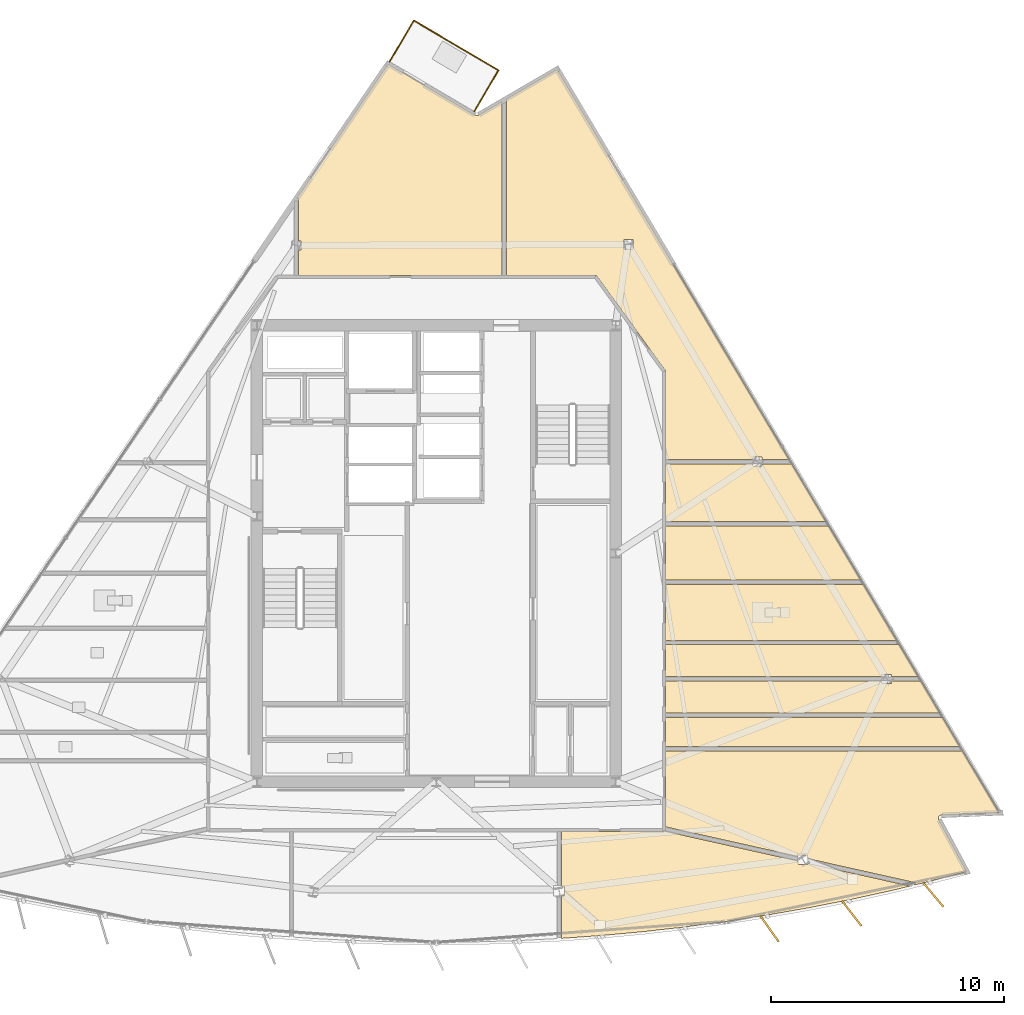
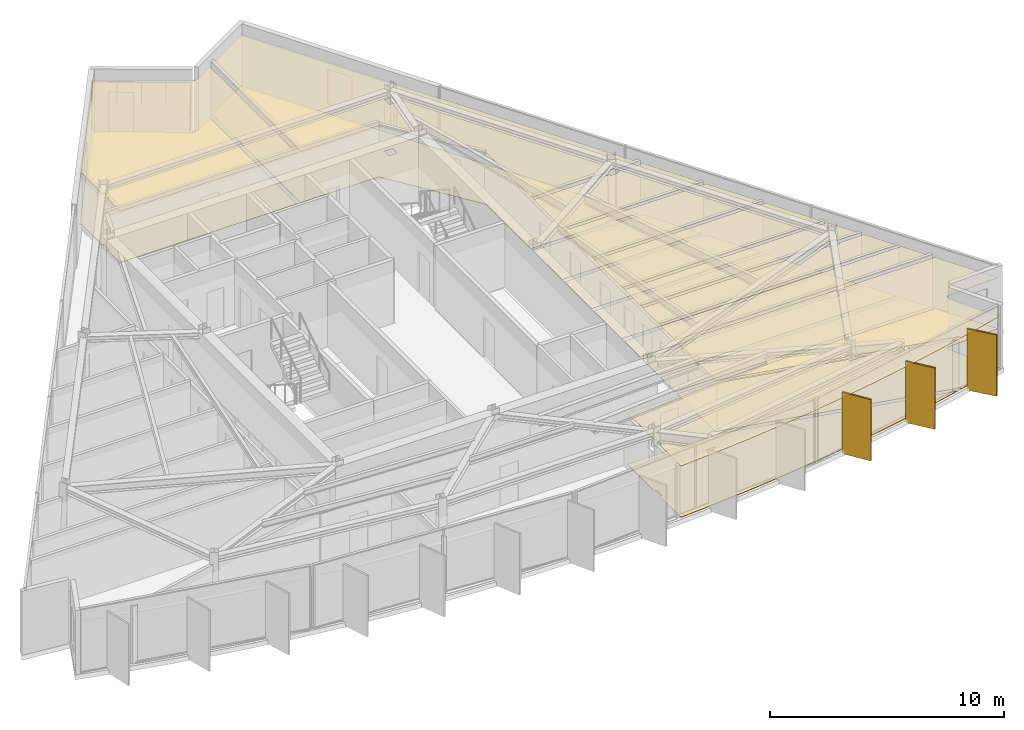
# One storey, part 12 of 13: 20 coverings, 3 railings, 3 shading devices.
"""IFC4 building model written with IfcOpenShell, lengths in metres."""

from ifc_helpers import new_model, si_unit, direction, frame, origin, origin_2d, place, context, subcontext, project, spatial, polyline, rectangle, circle, outline, extrude, material, layer, layer_set, type_object, element, save


model = new_model("IFC4")

# Units and contexts
model_context = context("Model", 3, precision=1e-05, world=origin(), true_north=direction((0.0, 1.0)))
body_context = subcontext(model_context, "Body", "Model", "MODEL_VIEW")
ifc_project = project(units=[si_unit("LENGTHUNIT", "METRE"), si_unit("AREAUNIT", "SQUARE_METRE"), si_unit("VOLUMEUNIT", "CUBIC_METRE"), si_unit("PLANEANGLEUNIT", "RADIAN"), si_unit("MASSUNIT", "GRAM", prefix="KILO")], contexts=[model_context])

# Site, building, storey
site_placement = place(None, origin())
site = spatial("IfcSite", under=ifc_project, at=site_placement, CompositionType="ELEMENT")
building_placement = place(site_placement, origin())
building = spatial("IfcBuilding", under=site, at=building_placement, Name="Savorim Split Tower", CompositionType="ELEMENT")
storey_placement = place(building_placement, frame((0.0, 0.0, 258.0)))
storey = spatial("IfcBuildingStorey", under=building, at=storey_placement, Name="L68", CompositionType="ELEMENT", Elevation=258.0)

# Coverings
ifc_material_1 = material(Name="Mineral Fibre Acoustic Ceiling")
ifc_layer_1 = layer(ifc_material_1, 0.02490234375)
ifc_layer_set_1 = layer_set([ifc_layer_1], Name="COV-CEIL-25")
covering_type_1 = type_object("IfcCoveringType", Name="COV-CEIL-25", PredefinedType="CEILING", material=ifc_layer_set_1)
covering_1_placement = place(storey_placement, frame((0.0, 0.0, 2.669921875)))
element("IfcCovering", 1, at=covering_1_placement, inside=storey, type_object=covering_type_1, Name="L68 Maker Workshop Acoustic Ceiling", PredefinedType="CEILING", context=body_context, shape_type="SweptSolid", body=[
    extrude(outline(polyline([(14.2060546875, -15.117919921875), (15.962646484375, -14.80908203125), (17.712890625, -14.464599609375), (19.45556640625, -14.084228515625), (20.33740234375, -13.872802734375), (15.939697265625, -12.889404296875), (15.939697265625, -12.94384765625), (15.545654296875, -12.94384765625), (15.545654296875, -12.80126953125), (9.81640625, -11.52001953125), (9.782958984375, -11.512451171875), (9.77783203125, -11.516357421875), (9.76611328125, -11.5234375), (9.753662109375, -11.529296875), (9.740478515625, -11.533935546875), (9.727294921875, -11.537353515625), (9.713623046875, -11.539306640625), (9.699951171875, -11.5400390625), (5.37109375, -11.5400390625), (5.37109375, -13.895751953125), (5.47314453125, -13.895751953125), (5.47314453125, -14.28759765625), (5.37109375, -14.28759765625), (5.37109375, -16.072509765625), (5.37109375, -16.1171875), (7.126953125, -15.991455078125), (8.90283203125, -15.827392578125), (10.67529296875, -15.626953125), (12.443359375, -15.390380859375), (14.2060546875, -15.117919921875)])), origin(), (0.0, 0.0, 1.0), 0.025146484375),
])
covering_2_placement = place(storey_placement, frame((0.0, 0.0, 2.669921875)))
element("IfcCovering", 2, at=covering_2_placement, inside=storey, type_object=covering_type_1, Name="L68 Co-Working Commons Acoustic Ceiling", PredefinedType="CEILING", context=body_context, shape_type="SweptSolid", body=[
    extrude(outline(polyline([(21.639404296875, -10.830810546875), (21.650634765625, -10.828857421875), (21.662109375, -10.82763671875), (24.16357421875, -10.72119140625), (22.584716796875, -8.06591796875), (9.840087890625, -8.06591796875), (9.840087890625, -11.33056640625), (15.545654296875, -12.6064453125), (15.545654296875, -12.552001953125), (15.939697265625, -12.552001953125), (15.939697265625, -12.694580078125), (20.457275390625, -13.704833984375), (20.5498046875, -13.7255859375), (20.527099609375, -13.8271484375), (21.18994140625, -13.668212890625), (22.769287109375, -13.25537109375), (21.5615234375, -11.00439453125), (21.556640625, -10.993896484375), (21.552734375, -10.983154296875), (21.5498046875, -10.971923828125), (21.548095703125, -10.96044921875), (21.54736328125, -10.948974609375), (21.547607421875, -10.9375), (21.54931640625, -10.926025390625), (21.552001953125, -10.914794921875), (21.5556640625, -10.90380859375), (21.560302734375, -10.893310546875), (21.56591796875, -10.88330078125), (21.57275390625, -10.873779296875), (21.580078125, -10.864990234375), (21.58837890625, -10.857177734375), (21.59765625, -10.849853515625), (21.607421875, -10.84375), (21.61767578125, -10.83837890625), (21.62841796875, -10.833984375), (21.639404296875, -10.830810546875)])), origin(), (0.0, 0.0, 1.0), 0.025146484375),
])
covering_3_placement = place(storey_placement, frame((0.0, 0.0, 2.669921875)))
element("IfcCovering", 3, at=covering_3_placement, inside=storey, type_object=covering_type_1, Name="L68 Co-Living Bedroom Acoustic Ceiling", PredefinedType="CEILING", context=body_context, shape_type="SweptSolid", body=[
    extrude(outline(polyline([(22.4716796875, -7.8759765625), (21.73876953125, -6.643310546875), (9.840087890625, -6.643310546875), (9.840087890625, -7.8759765625), (22.4716796875, -7.8759765625)])), origin(), (0.0, 0.0, 1.0), 0.025146484375),
])
covering_4_placement = place(storey_placement, frame((0.0, 0.0, 2.669921875)))
element("IfcCovering", 4, at=covering_4_placement, inside=storey, type_object=covering_type_1, Name="L68 Quiet Study Room Acoustic Ceiling", PredefinedType="CEILING", context=body_context, shape_type="SweptSolid", body=[
    extrude(outline(polyline([(19.1416015625, -5.17529296875), (19.1416015625, -5.074462890625), (9.840087890625, -5.074462890625), (9.840087890625, -6.453369140625), (21.625732421875, -6.453369140625), (20.7861328125, -5.041259765625), (20.7861328125, -5.074462890625), (19.535400390625, -5.074462890625), (19.535400390625, -5.17529296875), (19.1416015625, -5.17529296875)])), origin(), (0.0, 0.0, 1.0), 0.025146484375),
])
covering_5_placement = place(storey_placement, frame((0.0, 0.0, 2.669921875)))
element("IfcCovering", 5, at=covering_5_placement, inside=storey, type_object=covering_type_1, Name="L68 Quiet Study Room Acoustic Ceiling", PredefinedType="CEILING", context=body_context, shape_type="SweptSolid", body=[
    extrude(outline(polyline([(19.535400390625, -4.783447265625), (19.535400390625, -4.884521484375), (20.691162109375, -4.884521484375), (20.69287109375, -4.884521484375), (19.877685546875, -3.513427734375), (9.840087890625, -3.513427734375), (9.840087890625, -4.884521484375), (19.1416015625, -4.884521484375), (19.1416015625, -4.783447265625), (19.535400390625, -4.783447265625)])), origin(), (0.0, 0.0, 1.0), 0.025146484375),
])
covering_6_placement = place(storey_placement, frame((0.0, 0.0, 2.669921875)))
element("IfcCovering", 6, at=covering_6_placement, inside=storey, type_object=covering_type_1, Name="L68 Shared Bathroom Acoustic Ceiling", PredefinedType="CEILING", context=body_context, shape_type="SweptSolid", body=[
    extrude(outline(polyline([(19.7646484375, -3.323486328125), (18.337890625, -0.92431640625), (9.840087890625, -0.92431640625), (9.840087890625, -3.323486328125), (19.7646484375, -3.323486328125)])), origin(), (0.0, 0.0, 1.0), 0.025146484375),
])
covering_7_placement = place(storey_placement, frame((0.0, 0.0, 2.669921875)))
element("IfcCovering", 7, at=covering_7_placement, inside=storey, type_object=covering_type_1, Name="L68 Co-Living Bedroom Acoustic Ceiling", PredefinedType="CEILING", context=body_context, shape_type="SweptSolid", body=[
    extrude(outline(polyline([(18.22509765625, -0.734130859375), (16.841796875, 1.591796875), (9.840087890625, 1.591796875), (9.840087890625, -0.734130859375), (18.22509765625, -0.734130859375)])), origin(), (0.0, 0.0, 1.0), 0.025146484375),
])
covering_8_placement = place(storey_placement, frame((0.0, 0.0, 2.669921875)))
element("IfcCovering", 8, at=covering_8_placement, inside=storey, type_object=covering_type_1, Name="L68 Quiet Study Room Acoustic Ceiling", PredefinedType="CEILING", context=body_context, shape_type="SweptSolid", body=[
    extrude(outline(polyline([(13.594482421875, 4.1533203125), (13.594482421875, 4.25439453125), (9.840087890625, 4.25439453125), (9.840087890625, 1.781982421875), (16.72900390625, 1.781982421875), (15.239013671875, 4.287353515625), (15.239013671875, 4.25439453125), (13.98828125, 4.25439453125), (13.98828125, 4.1533203125), (13.594482421875, 4.1533203125)])), origin(), (0.0, 0.0, 1.0), 0.025146484375),
])
covering_9_placement = place(storey_placement, frame((0.0, 0.0, 2.669921875)))
element("IfcCovering", 9, at=covering_9_placement, inside=storey, type_object=covering_type_1, Name="L68 Maker Workshop Acoustic Ceiling", PredefinedType="CEILING", context=body_context, shape_type="SweptSolid", body=[
    extrude(outline(polyline([(15.14404296875, 4.4443359375), (15.145751953125, 4.4443359375), (5.188720703125, 21.189697265625), (3.015380859375, 19.92333984375), (3.015380859375, 12.340087890625), (6.800048828125, 12.340087890625), (6.813232421875, 12.33935546875), (6.826416015625, 12.33740234375), (6.839111328125, 12.33447265625), (6.8515625, 12.330078125), (6.863525390625, 12.32470703125), (6.875, 12.318115234375), (6.885986328125, 12.310546875), (6.89599609375, 12.302001953125), (6.905029296875, 12.29248046875), (6.913330078125, 12.2822265625), (9.813232421875, 8.2822265625), (9.8212890625, 8.27001953125), (9.827880859375, 8.2568359375), (9.833251953125, 8.2431640625), (9.8369140625, 8.22900390625), (9.839111328125, 8.214599609375), (9.840087890625, 8.199951171875), (9.840087890625, 4.4443359375), (13.594482421875, 4.4443359375), (13.594482421875, 4.54541015625), (13.98828125, 4.54541015625), (13.98828125, 4.4443359375), (15.14404296875, 4.4443359375)]), holes=[polyline([(8.44140625, 13.8740234375), (8.04736328125, 13.8740234375), (8.04736328125, 13.482177734375), (8.44140625, 13.482177734375), (8.44140625, 13.8740234375)])]), origin(), (0.0, 0.0, 1.0), 0.025146484375),
])
covering_10_placement = place(storey_placement, frame((0.0, 0.0, 2.669921875)))
element("IfcCovering", 10, at=covering_10_placement, inside=storey, type_object=covering_type_1, Name="L68 Co-Working Commons Acoustic Ceiling", PredefinedType="CEILING", context=body_context, shape_type="SweptSolid", body=[
    extrude(outline(polyline([(1.697265625, 19.2041015625), (1.6865234375, 19.20849609375), (1.676513671875, 19.213623046875), (-2.071533203125, 21.41650390625), (-6.007080078125, 15.63134765625), (-5.916259765625, 15.63134765625), (-5.916259765625, 13.8251953125), (-5.814208984375, 13.8251953125), (-5.814208984375, 13.433349609375), (-5.916259765625, 13.433349609375), (-5.916259765625, 12.340087890625), (2.825439453125, 12.340087890625), (2.825439453125, 19.8125), (1.797607421875, 19.21337890625), (1.787353515625, 19.208251953125), (1.776611328125, 19.203857421875), (1.765625, 19.20068359375), (1.75439453125, 19.198486328125), (1.742919921875, 19.197265625), (1.731201171875, 19.197265625), (1.7197265625, 19.198486328125), (1.70849609375, 19.20068359375), (1.697265625, 19.2041015625)])), origin(), (0.0, 0.0, 1.0), 0.025146484375),
])
ifc_material_2 = material(Name="Porcelain Stoneware Flooring", Category="masonry")
ifc_layer_2 = layer(ifc_material_2, 0.02001953125)
ifc_layer_set_2 = layer_set([ifc_layer_2], Name="COV-FLOR-20")
covering_type_2 = type_object("IfcCoveringType", Name="COV-FLOR-20", PredefinedType="FLOORING", material=ifc_layer_set_2)
covering_11_placement = place(storey_placement, origin())
element("IfcCovering", 11, at=covering_11_placement, inside=storey, type_object=covering_type_2, Name="L68 Maker Workshop Porcelain Flooring", PredefinedType="FLOORING", context=body_context, shape_type="SweptSolid", body=[
    extrude(outline(polyline([(14.2060546875, -15.117919921875), (15.962646484375, -14.80908203125), (17.712890625, -14.464599609375), (19.45556640625, -14.084228515625), (20.33740234375, -13.872802734375), (15.939697265625, -12.889404296875), (15.939697265625, -12.94384765625), (15.545654296875, -12.94384765625), (15.545654296875, -12.80126953125), (9.81640625, -11.52001953125), (9.782958984375, -11.512451171875), (9.77783203125, -11.516357421875), (9.76611328125, -11.5234375), (9.753662109375, -11.529296875), (9.740478515625, -11.533935546875), (9.727294921875, -11.537353515625), (9.713623046875, -11.539306640625), (9.699951171875, -11.5400390625), (5.37109375, -11.5400390625), (5.37109375, -13.895751953125), (5.47314453125, -13.895751953125), (5.47314453125, -14.28759765625), (5.37109375, -14.28759765625), (5.37109375, -16.072509765625), (5.37109375, -16.1171875), (7.126953125, -15.991455078125), (8.90283203125, -15.827392578125), (10.67529296875, -15.626953125), (12.443359375, -15.390380859375), (14.2060546875, -15.117919921875)])), origin(), (0.0, 0.0, 1.0), 0.02001953125),
])
covering_12_placement = place(storey_placement, origin())
element("IfcCovering", 12, at=covering_12_placement, inside=storey, type_object=covering_type_2, Name="L68 Co-Working Commons Porcelain Flooring", PredefinedType="FLOORING", context=body_context, shape_type="SweptSolid", body=[
    extrude(outline(polyline([(21.639404296875, -10.830810546875), (21.650634765625, -10.828857421875), (21.662109375, -10.82763671875), (24.16357421875, -10.72119140625), (22.584716796875, -8.06591796875), (9.840087890625, -8.06591796875), (9.840087890625, -11.33056640625), (15.545654296875, -12.6064453125), (15.545654296875, -12.552001953125), (15.939697265625, -12.552001953125), (15.939697265625, -12.694580078125), (20.457275390625, -13.704833984375), (20.5498046875, -13.7255859375), (20.527099609375, -13.8271484375), (21.18994140625, -13.668212890625), (22.769287109375, -13.25537109375), (21.5615234375, -11.00439453125), (21.556640625, -10.993896484375), (21.552734375, -10.983154296875), (21.5498046875, -10.971923828125), (21.548095703125, -10.96044921875), (21.54736328125, -10.948974609375), (21.547607421875, -10.9375), (21.54931640625, -10.926025390625), (21.552001953125, -10.914794921875), (21.5556640625, -10.90380859375), (21.560302734375, -10.893310546875), (21.56591796875, -10.88330078125), (21.57275390625, -10.873779296875), (21.580078125, -10.864990234375), (21.58837890625, -10.857177734375), (21.59765625, -10.849853515625), (21.607421875, -10.84375), (21.61767578125, -10.83837890625), (21.62841796875, -10.833984375), (21.639404296875, -10.830810546875)])), origin(), (0.0, 0.0, 1.0), 0.02001953125),
])
covering_13_placement = place(storey_placement, origin())
element("IfcCovering", 13, at=covering_13_placement, inside=storey, type_object=covering_type_2, Name="L68 Co-Living Bedroom Porcelain Flooring", PredefinedType="FLOORING", context=body_context, shape_type="SweptSolid", body=[
    extrude(outline(polyline([(22.4716796875, -7.8759765625), (21.73876953125, -6.643310546875), (9.840087890625, -6.643310546875), (9.840087890625, -7.8759765625), (22.4716796875, -7.8759765625)])), origin(), (0.0, 0.0, 1.0), 0.02001953125),
])
covering_14_placement = place(storey_placement, origin())
element("IfcCovering", 14, at=covering_14_placement, inside=storey, type_object=covering_type_2, Name="L68 Quiet Study Room Porcelain Flooring", PredefinedType="FLOORING", context=body_context, shape_type="SweptSolid", body=[
    extrude(outline(polyline([(19.1416015625, -5.17529296875), (19.1416015625, -5.074462890625), (9.840087890625, -5.074462890625), (9.840087890625, -6.453369140625), (21.625732421875, -6.453369140625), (20.7861328125, -5.041259765625), (20.7861328125, -5.074462890625), (19.535400390625, -5.074462890625), (19.535400390625, -5.17529296875), (19.1416015625, -5.17529296875)])), origin(), (0.0, 0.0, 1.0), 0.02001953125),
])
covering_15_placement = place(storey_placement, origin())
element("IfcCovering", 15, at=covering_15_placement, inside=storey, type_object=covering_type_2, Name="L68 Quiet Study Room Porcelain Flooring", PredefinedType="FLOORING", context=body_context, shape_type="SweptSolid", body=[
    extrude(outline(polyline([(19.535400390625, -4.783447265625), (19.535400390625, -4.884521484375), (20.691162109375, -4.884521484375), (20.69287109375, -4.884521484375), (19.877685546875, -3.513427734375), (9.840087890625, -3.513427734375), (9.840087890625, -4.884521484375), (19.1416015625, -4.884521484375), (19.1416015625, -4.783447265625), (19.535400390625, -4.783447265625)])), origin(), (0.0, 0.0, 1.0), 0.02001953125),
])
covering_16_placement = place(storey_placement, origin())
element("IfcCovering", 16, at=covering_16_placement, inside=storey, type_object=covering_type_2, Name="L68 Shared Bathroom Porcelain Flooring", PredefinedType="FLOORING", context=body_context, shape_type="SweptSolid", body=[
    extrude(outline(polyline([(19.7646484375, -3.323486328125), (18.337890625, -0.92431640625), (9.840087890625, -0.92431640625), (9.840087890625, -3.323486328125), (19.7646484375, -3.323486328125)])), origin(), (0.0, 0.0, 1.0), 0.02001953125),
])
covering_17_placement = place(storey_placement, origin())
element("IfcCovering", 17, at=covering_17_placement, inside=storey, type_object=covering_type_2, Name="L68 Co-Living Bedroom Porcelain Flooring", PredefinedType="FLOORING", context=body_context, shape_type="SweptSolid", body=[
    extrude(outline(polyline([(18.22509765625, -0.734130859375), (16.841796875, 1.591796875), (9.840087890625, 1.591796875), (9.840087890625, -0.734130859375), (18.22509765625, -0.734130859375)])), origin(), (0.0, 0.0, 1.0), 0.02001953125),
])
covering_18_placement = place(storey_placement, origin())
element("IfcCovering", 18, at=covering_18_placement, inside=storey, type_object=covering_type_2, Name="L68 Quiet Study Room Porcelain Flooring", PredefinedType="FLOORING", context=body_context, shape_type="SweptSolid", body=[
    extrude(outline(polyline([(13.594482421875, 4.1533203125), (13.594482421875, 4.25439453125), (9.840087890625, 4.25439453125), (9.840087890625, 1.781982421875), (16.72900390625, 1.781982421875), (15.239013671875, 4.287353515625), (15.239013671875, 4.25439453125), (13.98828125, 4.25439453125), (13.98828125, 4.1533203125), (13.594482421875, 4.1533203125)])), origin(), (0.0, 0.0, 1.0), 0.02001953125),
])
covering_19_placement = place(storey_placement, origin())
element("IfcCovering", 19, at=covering_19_placement, inside=storey, type_object=covering_type_2, Name="L68 Maker Workshop Porcelain Flooring", PredefinedType="FLOORING", context=body_context, shape_type="SweptSolid", body=[
    extrude(outline(polyline([(15.14404296875, 4.4443359375), (15.145751953125, 4.4443359375), (5.188720703125, 21.189697265625), (3.015380859375, 19.92333984375), (3.015380859375, 12.340087890625), (6.800048828125, 12.340087890625), (6.813232421875, 12.33935546875), (6.826416015625, 12.33740234375), (6.839111328125, 12.33447265625), (6.8515625, 12.330078125), (6.863525390625, 12.32470703125), (6.875, 12.318115234375), (6.885986328125, 12.310546875), (6.89599609375, 12.302001953125), (6.905029296875, 12.29248046875), (6.913330078125, 12.2822265625), (9.813232421875, 8.2822265625), (9.8212890625, 8.27001953125), (9.827880859375, 8.2568359375), (9.833251953125, 8.2431640625), (9.8369140625, 8.22900390625), (9.839111328125, 8.214599609375), (9.840087890625, 8.199951171875), (9.840087890625, 4.4443359375), (13.594482421875, 4.4443359375), (13.594482421875, 4.54541015625), (13.98828125, 4.54541015625), (13.98828125, 4.4443359375), (15.14404296875, 4.4443359375)]), holes=[polyline([(8.44140625, 13.8740234375), (8.04736328125, 13.8740234375), (8.04736328125, 13.482177734375), (8.44140625, 13.482177734375), (8.44140625, 13.8740234375)])]), origin(), (0.0, 0.0, 1.0), 0.02001953125),
])
covering_20_placement = place(storey_placement, origin())
element("IfcCovering", 20, at=covering_20_placement, inside=storey, type_object=covering_type_2, Name="L68 Co-Working Commons Porcelain Flooring", PredefinedType="FLOORING", context=body_context, shape_type="SweptSolid", body=[
    extrude(outline(polyline([(1.697265625, 19.2041015625), (1.6865234375, 19.20849609375), (1.676513671875, 19.213623046875), (-2.071533203125, 21.41650390625), (-6.007080078125, 15.63134765625), (-5.916259765625, 15.63134765625), (-5.916259765625, 13.8251953125), (-5.814208984375, 13.8251953125), (-5.814208984375, 13.433349609375), (-5.916259765625, 13.433349609375), (-5.916259765625, 12.340087890625), (2.825439453125, 12.340087890625), (2.825439453125, 19.8125), (1.797607421875, 19.21337890625), (1.787353515625, 19.208251953125), (1.776611328125, 19.203857421875), (1.765625, 19.20068359375), (1.75439453125, 19.198486328125), (1.742919921875, 19.197265625), (1.731201171875, 19.197265625), (1.7197265625, 19.198486328125), (1.70849609375, 19.20068359375), (1.697265625, 19.2041015625)])), origin(), (0.0, 0.0, 1.0), 0.02001953125),
])

# Railings
ifc_material_3 = material(Name="Galvanised Painted Steel Balustrade", Category="steel")
railing_type = type_object("IfcRailingType", Name="RLG-BAL-1100", PredefinedType="BALUSTRADE", material=ifc_material_3)
railing_1_placement = place(storey_placement, frame((-2.004150390625, 21.51611328125, 0.0)))
element("IfcRailing", 21, at=railing_1_placement, inside=storey, type_object=railing_type, Name="L68 Tree Balcony Guardrail N-1", PredefinedType="BALUSTRADE", context=body_context, shape_type="SweptSolid", body=[
    extrude(circle(Radius=0.02392578125, at=origin_2d()), frame((0.0, 0.0, 1.076171875), z_axis=(0.506733850669, 0.862102548764, 0.0), x_axis=(-0.862102548764, 0.506733850669, 0.0)), (0.0, 0.0, 1.0), 2.050048828125),
    extrude(circle(Radius=0.02099609375, at=origin_2d()), origin(), (0.0, 0.0, 1.0), 1.052001953125),
    extrude(circle(Radius=0.02099609375, at=origin_2d()), frame((0.51953125, 0.8837890625, 0.0)), (0.0, 0.0, 1.0), 1.052001953125),
    extrude(circle(Radius=0.02099609375, at=origin_2d()), frame((1.038818359375, 1.767333984375, 0.0)), (0.0, 0.0, 1.0), 1.052001953125),
])
railing_2_placement = place(storey_placement, frame((-0.96533203125, 23.283447265625, 0.0)))
element("IfcRailing", 22, at=railing_2_placement, inside=storey, type_object=railing_type, Name="L68 Tree Balcony Guardrail N-2", PredefinedType="BALUSTRADE", context=body_context, shape_type="SweptSolid", body=[
    extrude(circle(Radius=0.02392578125, at=origin_2d()), frame((0.0, 0.0, 1.076171875), z_axis=(0.862129004769, -0.506688838575, 0.0), x_axis=(0.506688838575, 0.862129004769, 0.0)), (0.0, 0.0, 1.0), 4.219482421875),
    extrude(circle(Radius=0.02099609375, at=origin_2d()), origin(), (0.0, 0.0, 1.0), 1.052001953125),
    extrude(circle(Radius=0.02099609375, at=origin_2d()), frame((0.909423828125, -0.534423828125, 0.0)), (0.0, 0.0, 1.0), 1.052001953125),
    extrude(circle(Radius=0.02099609375, at=origin_2d()), frame((1.81884765625, -1.06884765625, 0.0)), (0.0, 0.0, 1.0), 1.052001953125),
    extrude(circle(Radius=0.02099609375, at=origin_2d()), frame((2.728271484375, -1.603515625, 0.0)), (0.0, 0.0, 1.0), 1.052001953125),
    extrude(circle(Radius=0.02099609375, at=origin_2d()), frame((3.6376953125, -2.137939453125, 0.0)), (0.0, 0.0, 1.0), 1.052001953125),
])
railing_3_placement = place(storey_placement, frame((2.67236328125, 21.1455078125, 0.0)))
element("IfcRailing", 23, at=railing_3_placement, inside=storey, type_object=railing_type, Name="L68 Tree Balcony Guardrail N-3", PredefinedType="BALUSTRADE", context=body_context, shape_type="SweptSolid", body=[
    extrude(circle(Radius=0.02392578125, at=origin_2d()), frame((0.0, 0.0, 1.076171875), z_axis=(-0.506593312838, -0.862185139856, 0.0), x_axis=(0.862185139856, -0.506593312838, 0.0)), (0.0, 0.0, 1.0), 2.050048828125),
    extrude(circle(Radius=0.02099609375, at=origin_2d()), origin(), (0.0, 0.0, 1.0), 1.052001953125),
    extrude(circle(Radius=0.02099609375, at=origin_2d()), frame((-0.519287109375, -0.8837890625, 0.0)), (0.0, 0.0, 1.0), 1.052001953125),
    extrude(circle(Radius=0.02099609375, at=origin_2d()), frame((-1.03857421875, -1.767578125, 0.0)), (0.0, 0.0, 1.0), 1.052001953125),
])

# Shading devices
ifc_material_4 = material(Name="Terracotta Ceramic-Coated Aluminium Fin", Category="masonry")
shading_device_type = type_object("IfcShadingDeviceType", Name="SHD-FIN-1360", PredefinedType="USERDEFINED", material=ifc_material_4)
for number, where, z_axis, x_axis, name in (
    (24, (14.302978515625, -15.705810546875, -0.2001953125), (0.0, 0.0, 1.0), (0.578993757737, -0.815331974414, 0.0), "L68 Sawtooth Shading Fin 11"),
    (25, (17.833984375, -15.048095703125, -0.2001953125), (0.0, 0.0, 1.0), (0.611868076908, -0.790959832394, 0.0), "L68 Sawtooth Shading Fin 12"),
    (26, (21.3349609375, -14.246337890625, -0.2001953125), (0.0, 0.0, 1.0), (0.643719022682, -0.765261928909, 0.0), "L68 Sawtooth Shading Fin 13"),
):
    element("IfcShadingDevice", number, at=place(storey_placement, frame(where, z_axis=z_axis, x_axis=x_axis)), inside=storey, type_object=shading_device_type, Name=name, ObjectType="FIN", PredefinedType="USERDEFINED", context=body_context, shape_type="SweptSolid", body=[
        extrude(rectangle(XDim=1.360107421875, YDim=0.080078125, at=origin_2d()), origin(), (0.0, 0.0, 1.0), 3.199951171875),
    ])

save(model, "model.ifc")
